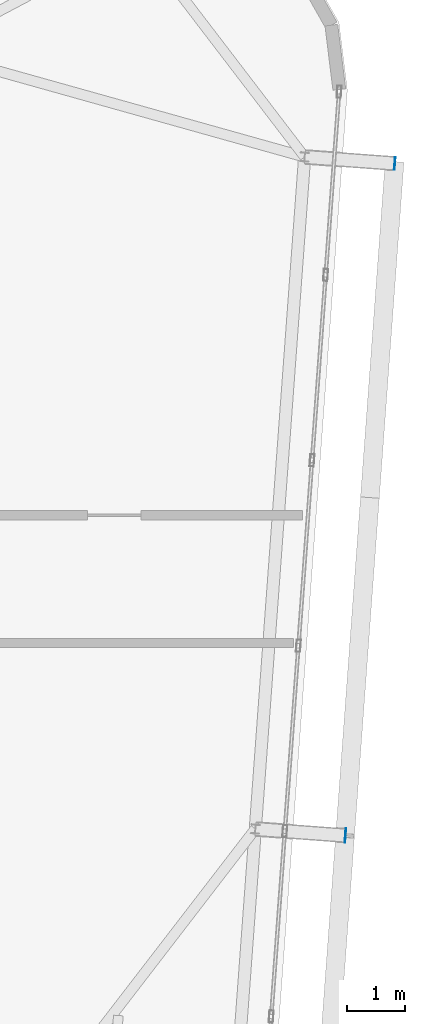
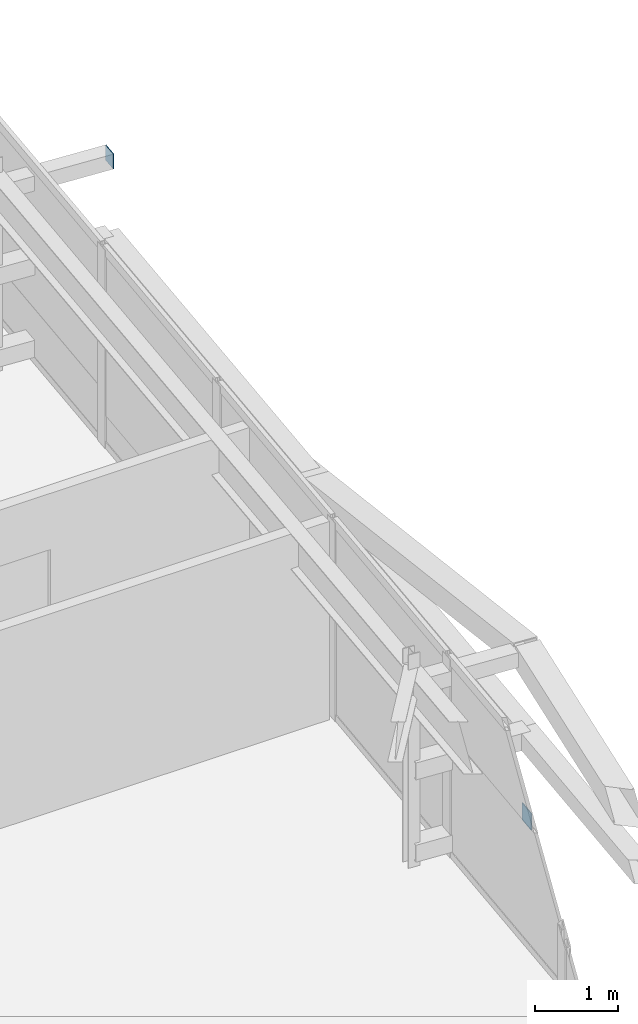
# One storey, part 35 of 42: 2 plates.
"""IFC4 building model written with IfcOpenShell, lengths in metres."""

from ifc_helpers import new_model, si_unit, direction, frame, origin, origin_2d, place, context, subcontext, project, spatial, rectangle, extrude, source, transform, mapped, material, layer, layer_set, type_object, element, save


model = new_model("IFC4")

# Units and contexts
model_context = context("Model", 3, precision=1e-05, world=origin(), true_north=direction((0.0, 1.0)))
body_context = subcontext(model_context, "Body", "Model", "MODEL_VIEW")
ifc_project = project(units=[si_unit("LENGTHUNIT", "METRE"), si_unit("AREAUNIT", "SQUARE_METRE"), si_unit("VOLUMEUNIT", "CUBIC_METRE"), si_unit("PLANEANGLEUNIT", "RADIAN"), si_unit("MASSUNIT", "GRAM", prefix="KILO")], contexts=[model_context])

# Site, building, storey
site_placement = place(None, origin())
site = spatial("IfcSite", under=ifc_project, at=site_placement, CompositionType="ELEMENT")
building_placement = place(site_placement, origin())
building = spatial("IfcBuilding", under=site, at=building_placement, Name="Taldren Reach Tower", CompositionType="ELEMENT")
storey_placement = place(building_placement, frame((0.0, 0.0, 224.0)))
storey = spatial("IfcBuildingStorey", under=building, at=storey_placement, Name="L68", CompositionType="ELEMENT", Elevation=224.0)

# Plates
ifc_material_1 = material(Name="Steel Gr 350 (C350L0)", Category="steel")
ifc_layer_1 = layer(ifc_material_1, 0.011962890625)
ifc_layer_set_1 = layer_set([ifc_layer_1], Name="Steel Gr 350 (C350L0)")
plate_type_1 = type_object("IfcPlateType", Name="PL-CAP-250", PredefinedType="SHEET", material=ifc_layer_set_1)
shared_shape_1 = source(origin(), body_context, "Body", "SweptSolid", [
    extrude(rectangle(XDim=0.011962890625, YDim=0.25, at=origin_2d()), origin(), (0.0, 0.0, 1.0), 0.25),
])
plate_1_placement = place(storey_placement, frame((58.2431640625, 18.48583984375, 0.094970703125), z_axis=(0.0, 0.0, 1.0), x_axis=(0.997314477224, -0.073238197128, 0.0)))
element("IfcPlate", 1, at=plate_1_placement, inside=storey, type_object=plate_type_1, Name="Tie strut end cap plate B5-E2 L68", PredefinedType="SHEET", context=body_context, shape_type="MappedRepresentation", body=[
    mapped(shared_shape_1, transform((0.0, 0.0, 0.0), scale=1.0)),
])
ifc_material_2 = material(Name="Steel Gr 450 (C450L0)", Category="steel")
ifc_layer_2 = layer(ifc_material_2, 0.011962890625)
ifc_layer_set_2 = layer_set([ifc_layer_2], Name="Steel Gr 450 (C450L0)")
plate_type_2 = type_object("IfcPlateType", Name="PL-CAP-220", PredefinedType="SHEET", material=ifc_layer_set_2)
shared_shape_2 = source(origin(), body_context, "Body", "SweptSolid", [
    extrude(rectangle(XDim=0.011962890625, YDim=0.219970703125, at=origin_2d()), origin(), (0.0, 0.0, 1.0), 0.219970703125),
])
plate_2_placement = place(storey_placement, frame((59.0927734375, 30.0546875, 2.5400390625), z_axis=(0.0, 0.0, 1.0), x_axis=(0.997314477224, -0.073238197128, 0.0)))
element("IfcPlate", 2, at=plate_2_placement, inside=storey, type_object=plate_type_2, Name="Tie strut end cap plate B5-E3 L68", PredefinedType="SHEET", context=body_context, shape_type="MappedRepresentation", body=[
    mapped(shared_shape_2, transform((0.0, 0.0, 0.0), scale=1.0)),
])

save(model, "model.ifc")
